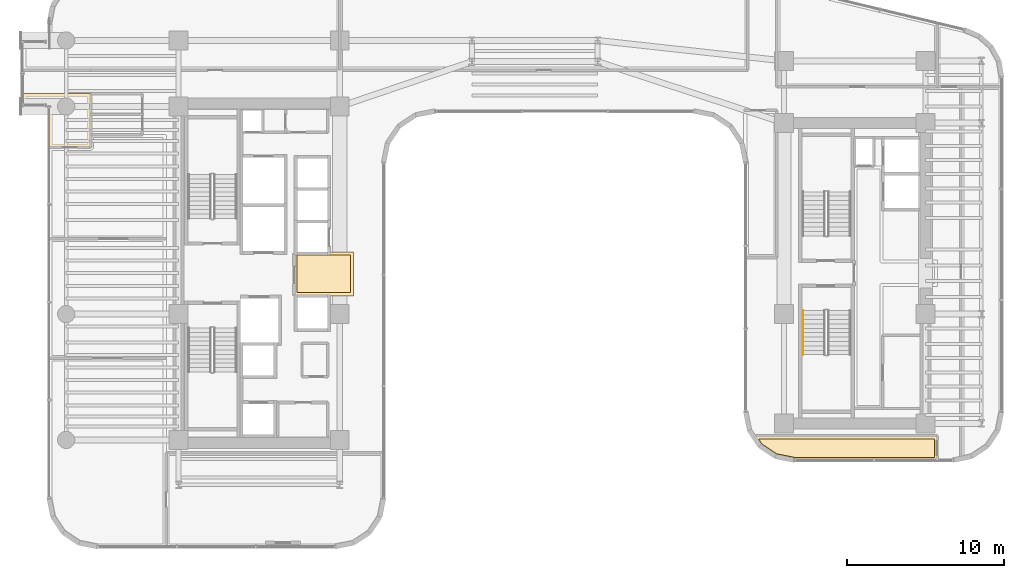
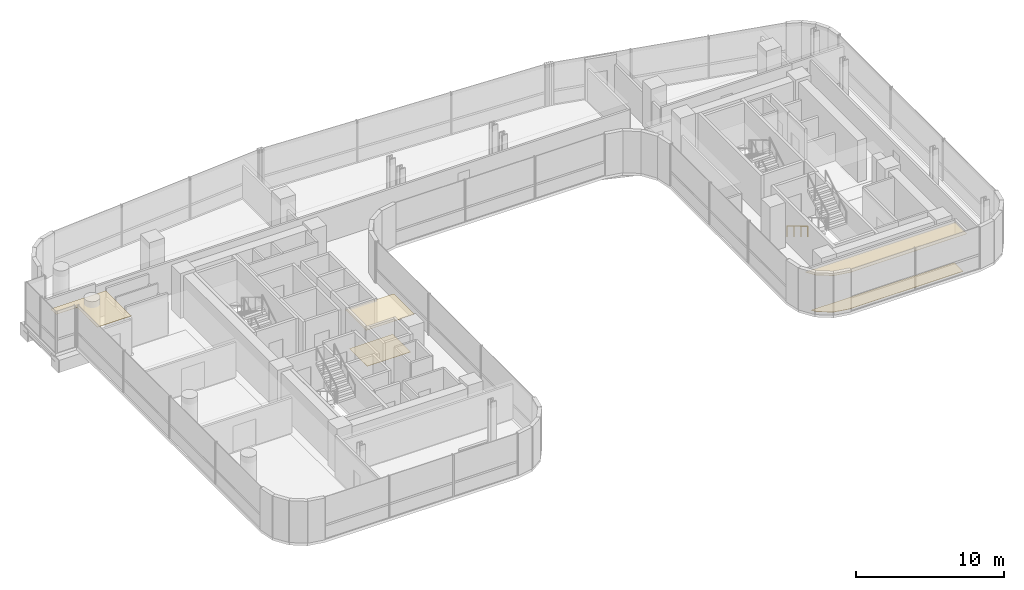
# One storey, part 32 of 34: 5 coverings, 1 railing.
"""IFC4 building model written with IfcOpenShell, lengths in metres."""

from ifc_helpers import new_model, si_unit, direction, frame, origin, origin_2d, place, context, subcontext, project, spatial, polyline, circle, outline, extrude, material, layer, layer_set, type_object, element, save


model = new_model("IFC4")

# Units and contexts
model_context = context("Model", 3, precision=1e-05, world=origin(), true_north=direction((0.0, 1.0)))
body_context = subcontext(model_context, "Body", "Model", "MODEL_VIEW")
ifc_project = project(units=[si_unit("LENGTHUNIT", "METRE"), si_unit("AREAUNIT", "SQUARE_METRE"), si_unit("VOLUMEUNIT", "CUBIC_METRE"), si_unit("PLANEANGLEUNIT", "RADIAN"), si_unit("MASSUNIT", "GRAM", prefix="KILO")], contexts=[model_context])

# Site, building, storey
site_placement = place(None, origin())
site = spatial("IfcSite", under=ifc_project, at=site_placement, CompositionType="ELEMENT")
building_placement = place(site_placement, origin())
building = spatial("IfcBuilding", under=site, at=building_placement, Name="Valdorenza Pilgrim Sanctuary Tower", CompositionType="ELEMENT")
storey_placement = place(building_placement, frame((0.0, 0.0, 120.5)))
storey = spatial("IfcBuildingStorey", under=building, at=storey_placement, Name="L30", CompositionType="ELEMENT", Elevation=120.5)

# Coverings
ifc_material_1 = material(Name="Micro-perforated acoustic mineral ceiling tile", Category="gypsum")
ifc_layer_1 = layer(ifc_material_1, 0.02490234375, Name="Micro-perforated acoustic mineral ceiling tile")
ifc_layer_set_1 = layer_set([ifc_layer_1], Name="Micro-perforated acoustic mineral ceiling tile")
covering_type_1 = type_object("IfcCoveringType", Name="COV-CLG-ACU", PredefinedType="CEILING", material=ifc_layer_set_1)
covering_1_placement = place(storey_placement, frame((0.0, 0.0, 3.159912109375)))
element("IfcCovering", 1, at=covering_1_placement, inside=storey, type_object=covering_type_1, Name="L30 Core A Passenger Lift Lobby Acoustic Ceiling", PredefinedType="CEILING", context=body_context, shape_type="SweptSolid", body=[
    extrude(outline(polyline([(-15.31298828125, 1.244384765625), (-15.31298828125, 1.24462890625), (-15.313720703125, 1.24609375), (-15.314208984375, 1.24755859375), (-15.314697265625, 1.2490234375), (-15.31494140625, 1.25048828125), (-15.31494140625, 1.251953125), (-15.31494140625, 1.35009765625), (-15.31494140625, 1.3515625), (-15.314697265625, 1.352783203125), (-15.314453125, 1.3544921875), (-15.31396484375, 1.355712890625), (-15.313232421875, 1.357177734375), (-15.3125, 1.3583984375), (-15.3115234375, 1.359619140625), (-15.310546875, 1.360595703125), (-15.3095703125, 1.361572265625), (-15.308349609375, 1.362548828125), (-15.30712890625, 1.36328125), (-15.3056640625, 1.364013671875), (-15.304443359375, 1.364501953125), (-15.302978515625, 1.36474609375), (-15.301513671875, 1.364990234375), (-15.300048828125, 1.364990234375), (-15.10205078125, 1.364990234375), (-15.1005859375, 1.364990234375), (-15.09912109375, 1.36474609375), (-15.097412109375, 1.3642578125), (-15.09619140625, 1.36376953125), (-15.0947265625, 1.363037109375), (-15.094482421875, 1.363037109375), (-13.185546875, 1.363037109375), (-13.185302734375, 1.363037109375), (-13.183837890625, 1.36376953125), (-13.1826171875, 1.3642578125), (-13.180908203125, 1.36474609375), (-13.179443359375, 1.364990234375), (-13.177978515625, 1.364990234375), (-11.550048828125, 1.364990234375), (-11.548583984375, 1.364990234375), (-11.547119140625, 1.36474609375), (-11.545654296875, 1.364501953125), (-11.544189453125, 1.364013671875), (-11.54296875, 1.36328125), (-11.541748046875, 1.362548828125), (-11.54052734375, 1.361572265625), (-11.539306640625, 1.360595703125), (-11.538330078125, 1.359619140625), (-11.53759765625, 1.3583984375), (-11.536865234375, 1.357177734375), (-11.5361328125, 1.355712890625), (-11.53564453125, 1.3544921875), (-11.535400390625, 1.352783203125), (-11.53515625, 1.3515625), (-11.534912109375, 1.35009765625), (-11.534912109375, -1.419921875), (-11.53515625, -1.42138671875), (-11.535400390625, -1.4228515625), (-11.53564453125, -1.42431640625), (-11.5361328125, -1.42578125), (-11.536865234375, -1.427001953125), (-11.53759765625, -1.42822265625), (-11.538330078125, -1.429443359375), (-11.539306640625, -1.4306640625), (-11.54052734375, -1.431640625), (-11.541748046875, -1.4326171875), (-11.54296875, -1.43310546875), (-11.544189453125, -1.433837890625), (-11.545654296875, -1.434326171875), (-11.547119140625, -1.434814453125), (-11.548583984375, -1.434814453125), (-11.550048828125, -1.43505859375), (-15.298095703125, -1.43505859375), (-15.299560546875, -1.434814453125), (-15.30078125, -1.434814453125), (-15.302490234375, -1.434326171875), (-15.3037109375, -1.433837890625), (-15.30517578125, -1.43310546875), (-15.306396484375, -1.4326171875), (-15.3076171875, -1.431640625), (-15.30859375, -1.4306640625), (-15.3095703125, -1.429443359375), (-15.310546875, -1.42822265625), (-15.311279296875, -1.427001953125), (-15.31201171875, -1.42578125), (-15.3125, -1.42431640625), (-15.312744140625, -1.4228515625), (-15.31298828125, -1.42138671875), (-15.31298828125, -1.419921875), (-15.31298828125, 1.244384765625)])), origin(), (0.0, 0.0, 1.0), 0.025146484375),
])
covering_2_placement = place(storey_placement, frame((0.0, 0.0, 3.159912109375)))
element("IfcCovering", 2, at=covering_2_placement, inside=storey, type_object=covering_type_1, Name="L30 North Contemplation Lounge L30 Acoustic Ceiling", PredefinedType="CEILING", context=body_context, shape_type="SweptSolid", body=[
    extrude(outline(polyline([(-28.237060546875, 8.805419921875), (-28.23681640625, 8.805419921875), (-28.236083984375, 8.803955078125), (-28.235595703125, 8.802490234375), (-28.2353515625, 8.801025390625), (-28.235107421875, 8.799560546875), (-28.235107421875, 8.798095703125), (-28.235107421875, 8.0), (-28.235107421875, 7.99853515625), (-28.2353515625, 7.9970703125), (-28.235595703125, 7.99560546875), (-28.236083984375, 7.994384765625), (-28.23681640625, 7.992919921875), (-28.237548828125, 7.99169921875), (-28.23828125, 7.990478515625), (-28.239501953125, 7.989501953125), (-28.240478515625, 7.98828125), (-28.24169921875, 7.987548828125), (-28.242919921875, 7.98681640625), (-28.244384765625, 7.986083984375), (-28.24560546875, 7.985595703125), (-28.2470703125, 7.9853515625), (-28.24853515625, 7.985107421875), (-28.25, 7.985107421875), (-30.889892578125, 7.985107421875), (-30.8916015625, 7.985107421875), (-30.892822265625, 7.9853515625), (-30.894287109375, 7.985595703125), (-30.895751953125, 7.986083984375), (-30.897216796875, 7.98681640625), (-30.898193359375, 7.987548828125), (-30.8994140625, 7.98828125), (-30.900634765625, 7.989501953125), (-30.901611328125, 7.990478515625), (-30.902587890625, 7.99169921875), (-30.9033203125, 7.992919921875), (-30.90380859375, 7.994384765625), (-30.904296875, 7.99560546875), (-30.90478515625, 7.9970703125), (-30.90478515625, 7.99853515625), (-30.905029296875, 8.0), (-30.905029296875, 10.599609375), (-30.905517578125, 10.609375), (-30.90673828125, 10.618408203125), (-30.9091796875, 10.627685546875), (-30.912109375, 10.63623046875), (-30.916259765625, 10.644775390625), (-30.9208984375, 10.65283203125), (-30.926513671875, 10.660400390625), (-30.932861328125, 10.667236328125), (-30.939697265625, 10.67333984375), (-30.947265625, 10.678955078125), (-30.955078125, 10.683837890625), (-30.963623046875, 10.687744140625), (-30.972412109375, 10.69091796875), (-30.9814453125, 10.693115234375), (-30.99072265625, 10.694580078125), (-31.00048828125, 10.695068359375), (-32.5400390625, 10.695068359375), (-32.54150390625, 10.695068359375), (-32.54296875, 10.6953125), (-32.54443359375, 10.695556640625), (-32.545654296875, 10.696044921875), (-32.547119140625, 10.69677734375), (-32.54833984375, 10.697509765625), (-32.549560546875, 10.698486328125), (-32.550537109375, 10.699462890625), (-32.551513671875, 10.700439453125), (-32.552490234375, 10.70166015625), (-32.55322265625, 10.702880859375), (-32.553955078125, 10.704345703125), (-32.554443359375, 10.70556640625), (-32.5546875, 10.70703125), (-32.554931640625, 10.70849609375), (-32.554931640625, 10.7099609375), (-32.554931640625, 11.419921875), (-32.554931640625, 11.42138671875), (-32.5546875, 11.4228515625), (-32.554443359375, 11.42431640625), (-32.553955078125, 11.42578125), (-32.55322265625, 11.427001953125), (-32.552490234375, 11.42822265625), (-32.551513671875, 11.429443359375), (-32.550537109375, 11.4306640625), (-32.549560546875, 11.431640625), (-32.54833984375, 11.4326171875), (-32.547119140625, 11.43310546875), (-32.545654296875, 11.433837890625), (-32.54443359375, 11.434326171875), (-32.54296875, 11.434814453125), (-32.54150390625, 11.434814453125), (-32.5400390625, 11.43505859375), (-28.25, 11.43505859375), (-28.24853515625, 11.434814453125), (-28.2470703125, 11.434814453125), (-28.24560546875, 11.434326171875), (-28.244384765625, 11.433837890625), (-28.242919921875, 11.43310546875), (-28.24169921875, 11.4326171875), (-28.240478515625, 11.431640625), (-28.239501953125, 11.4306640625), (-28.23828125, 11.429443359375), (-28.237548828125, 11.42822265625), (-28.23681640625, 11.427001953125), (-28.236083984375, 11.42578125), (-28.235595703125, 11.42431640625), (-28.2353515625, 11.4228515625), (-28.235107421875, 11.42138671875), (-28.235107421875, 11.419921875), (-28.235107421875, 11.402099609375), (-28.235107421875, 11.400390625), (-28.2353515625, 11.39892578125), (-28.235595703125, 11.3974609375), (-28.236083984375, 11.39599609375), (-28.23681640625, 11.394775390625), (-28.237060546875, 11.39453125), (-28.237060546875, 10.103759765625), (-28.23681640625, 10.10302734375), (-28.23681640625, 10.1015625), (-28.23681640625, 10.10009765625), (-28.23681640625, 10.098388671875), (-28.237060546875, 10.09814453125), (-28.237060546875, 8.805419921875)])), origin(), (0.0, 0.0, 1.0), 0.025146484375),
])
covering_3_placement = place(storey_placement, frame((0.0, 0.0, 3.159912109375)))
element("IfcCovering", 3, at=covering_3_placement, inside=storey, type_object=covering_type_1, Name="L30 Sacred Manuscript Archive L30-BS Acoustic Ceiling", PredefinedType="CEILING", context=body_context, shape_type="SweptSolid", body=[
    extrude(outline(polyline([(25.614990234375, -11.889892578125), (25.614990234375, -11.8916015625), (25.61474609375, -11.892822265625), (25.614501953125, -11.894287109375), (25.614013671875, -11.895751953125), (25.61328125, -11.897216796875), (25.612548828125, -11.898193359375), (25.611572265625, -11.8994140625), (25.610595703125, -11.900634765625), (25.609619140625, -11.901611328125), (25.6083984375, -11.902587890625), (25.607177734375, -11.9033203125), (25.605712890625, -11.90380859375), (25.6044921875, -11.904296875), (25.602783203125, -11.90478515625), (25.6015625, -11.90478515625), (25.60009765625, -11.905029296875), (16.5107421875, -11.905029296875), (16.509521484375, -11.90478515625), (16.5078125, -11.90478515625), (15.3154296875, -11.66748046875), (15.31396484375, -11.6669921875), (15.3125, -11.66650390625), (15.311279296875, -11.666015625), (15.31005859375, -11.665283203125), (14.308349609375, -10.995849609375), (14.30712890625, -10.9951171875), (14.305908203125, -10.993896484375), (14.304931640625, -10.992919921875), (14.30419921875, -10.99169921875), (13.880859375, -10.3583984375), (13.880126953125, -10.357177734375), (13.87939453125, -10.355712890625), (13.87890625, -10.3544921875), (13.878662109375, -10.352783203125), (13.87841796875, -10.3515625), (13.87841796875, -10.35009765625), (13.87841796875, -10.348388671875), (13.878662109375, -10.34716796875), (13.87890625, -10.345703125), (13.87939453125, -10.34423828125), (13.880126953125, -10.343017578125), (13.880859375, -10.341796875), (13.881591796875, -10.340576171875), (13.8828125, -10.33935546875), (13.8837890625, -10.33837890625), (13.885009765625, -10.33740234375), (13.88623046875, -10.3369140625), (13.8876953125, -10.336181640625), (13.888916015625, -10.335693359375), (13.890380859375, -10.335205078125), (13.891845703125, -10.335205078125), (13.893310546875, -10.3349609375), (25.60009765625, -10.3349609375), (25.6015625, -10.335205078125), (25.602783203125, -10.335205078125), (25.6044921875, -10.335693359375), (25.605712890625, -10.336181640625), (25.607177734375, -10.3369140625), (25.6083984375, -10.33740234375), (25.609619140625, -10.33837890625), (25.610595703125, -10.33935546875), (25.611572265625, -10.340576171875), (25.612548828125, -10.341796875), (25.61328125, -10.343017578125), (25.614013671875, -10.34423828125), (25.614501953125, -10.345703125), (25.61474609375, -10.34716796875), (25.614990234375, -10.348388671875), (25.614990234375, -10.35009765625), (25.614990234375, -11.889892578125)])), origin(), (0.0, 0.0, 1.0), 0.025146484375),
])
ifc_material_2 = material(Name="Honed travertine stone flooring", Category="masonry")
ifc_layer_2 = layer(ifc_material_2, 0.030029296875, Name="Honed travertine stone flooring")
ifc_layer_set_2 = layer_set([ifc_layer_2], Name="Honed travertine stone flooring")
covering_type_2 = type_object("IfcCoveringType", Name="COV-FLR-TRV", PredefinedType="FLOORING", material=ifc_layer_set_2)
covering_4_placement = place(storey_placement, origin())
element("IfcCovering", 4, at=covering_4_placement, inside=storey, type_object=covering_type_2, Name="L30 Core A Passenger Lift Lobby Flooring", PredefinedType="FLOORING", context=body_context, shape_type="SweptSolid", body=[
    extrude(outline(polyline([(-15.117919921875, 1.169189453125), (-15.10888671875, 1.168212890625), (-15.10888671875, 1.168212890625), (-15.10009765625, 1.16796875), (-13.179931640625, 1.16796875), (-13.1796875, 1.16796875), (-11.72998046875, 1.169921875), (-11.72998046875, -1.239990234375), (-15.117919921875, -1.239990234375), (-15.117919921875, 1.169189453125)])), origin(), (0.0, 0.0, 1.0), 0.02490234375),
])
covering_5_placement = place(storey_placement, origin())
element("IfcCovering", 5, at=covering_5_placement, inside=storey, type_object=covering_type_2, Name="L30 Sacred Manuscript Archive L30-BS Flooring", PredefinedType="FLOORING", context=body_context, shape_type="SweptSolid", body=[
    extrude(outline(polyline([(25.419921875, -11.7099609375), (16.528564453125, -11.7099609375), (15.388671875, -11.483154296875), (14.4462890625, -10.853515625), (14.22998046875, -10.530029296875), (25.419921875, -10.530029296875), (25.419921875, -11.7099609375)])), origin(), (0.0, 0.0, 1.0), 0.02490234375),
])

# Railing
ifc_material_3 = material(Name="Brushed stainless steel Grade 316", Category="steel")
railing_type = type_object("IfcRailingType", Name="RLG-HND-920", PredefinedType="HANDRAIL", material=ifc_material_3)
railing_placement = place(storey_placement, frame((17.050048828125, -2.3798828125, 0.168212890625)))
element("IfcRailing", 6, at=railing_placement, inside=storey, type_object=railing_type, Name="L30 ST-B2 stair handrail 1", PredefinedType="HANDRAIL", context=body_context, shape_type="SweptSolid", body=[
    extrude(circle(Radius=0.02392578125, at=origin_2d()), frame((0.0, 0.0, 0.8759765625), z_axis=(0.0, -0.857242210791, 0.514913383045), x_axis=(1.0, 0.0, 0.0)), (0.0, 0.0, 1.0), 3.266357421875),
    extrude(circle(Radius=0.02099609375, at=origin_2d()), origin(), (0.0, 0.0, 1.0), 0.851806640625),
    extrude(circle(Radius=0.02099609375, at=origin_2d()), frame((0.0, -0.933349609375, 0.560546875)), (0.0, 0.0, 1.0), 0.851806640625),
    extrude(circle(Radius=0.02099609375, at=origin_2d()), frame((0.0, -1.86669921875, 1.121337890625)), (0.0, 0.0, 1.0), 0.851806640625),
    extrude(circle(Radius=0.02099609375, at=origin_2d()), frame((0.0, -2.800048828125, 1.681884765625)), (0.0, 0.0, 1.0), 0.851806640625),
])

save(model, "model.ifc")
